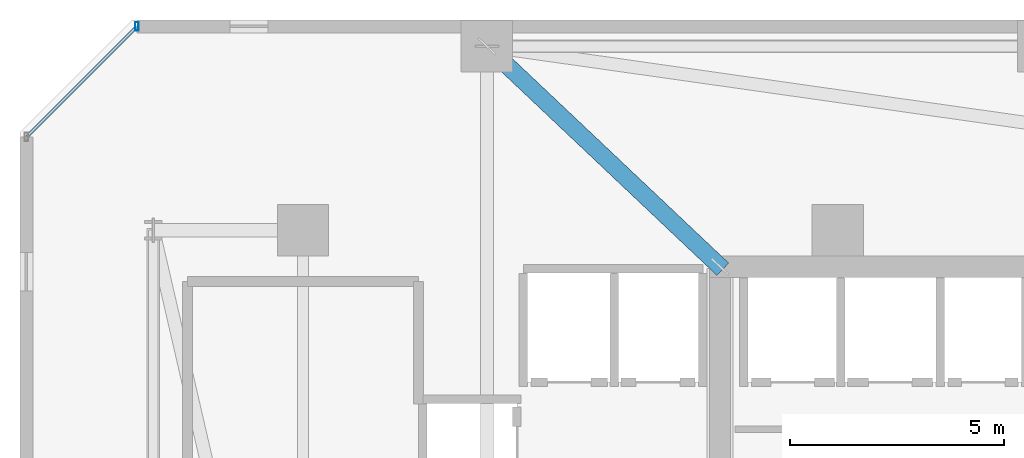
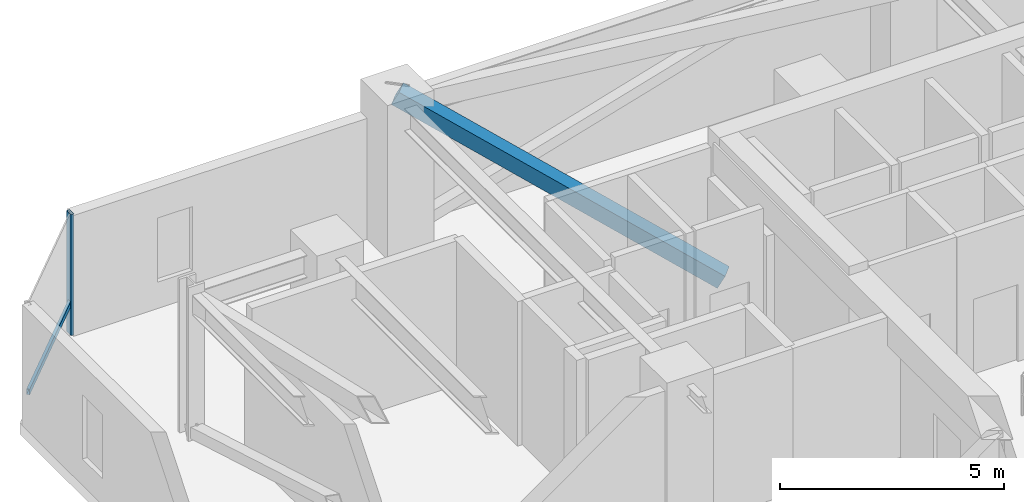
# One storey, part 14 of 45: 3 members, 1 element without a shape of its own.
"""IFC4 building model written with IfcOpenShell, lengths in metres."""

from ifc_helpers import new_model, si_unit, direction, frame, origin, origin_2d, place, context, subcontext, project, spatial, hollow_rectangle, extrude, material, material_profile, profile_set, type_object, element, aggregate, save


model = new_model("IFC4")

# Units and contexts
model_context = context("Model", 3, precision=1e-05, world=origin(), true_north=direction((0.0, 1.0)))
body_context = subcontext(model_context, "Body", "Model", "MODEL_VIEW")
ifc_project = project(units=[si_unit("LENGTHUNIT", "METRE"), si_unit("AREAUNIT", "SQUARE_METRE"), si_unit("VOLUMEUNIT", "CUBIC_METRE"), si_unit("PLANEANGLEUNIT", "RADIAN"), si_unit("MASSUNIT", "GRAM", prefix="KILO")], contexts=[model_context])

# Site, building, storey
site_placement = place(None, origin())
site = spatial("IfcSite", under=ifc_project, at=site_placement, CompositionType="ELEMENT")
building_placement = place(site_placement, origin())
building = spatial("IfcBuilding", under=site, at=building_placement, Name="Thornwick Lancets Civic Towers", CompositionType="ELEMENT")
storey_placement = place(building_placement, frame((0.0, 0.0, 141.300048828125)))
storey = spatial("IfcBuildingStorey", under=building, at=storey_placement, Name="L37", CompositionType="ELEMENT", Elevation=141.300048828125)

# Curtain wall, members
ifc_material_1 = material(Name="Mid-zone chamfered-corner unitised glass curtain wall", Category="glass")
curtain_wall_type = type_object("IfcCurtainWallType", Name="CW_SYS_04", PredefinedType="NOTDEFINED", material=ifc_material_1)
curtain_wall_placement = place(storey_placement, origin())
curtain_wall = element("IfcCurtainWall", 1, at=curtain_wall_placement, inside=storey, type_object=curtain_wall_type, Name="L37 Curtain Wall CW-L37-A-E5", PredefinedType="NOTDEFINED")
ifc_material_2 = material(Name="Thermally broken bronze aluminium S355", Category="steel")
ifc_material_profile_1 = material_profile(ifc_material_2, hollow_rectangle(XDim=0.080078125, YDim=0.199951171875, WallThickness=0.006103515625, at=origin_2d()), Name="RHS 200x80x6")
ifc_profile_set_1 = profile_set([ifc_material_profile_1], Name="Thermally broken bronze aluminium S355")
member_type_1 = type_object("IfcMemberType", Name="CW_MUL_200", PredefinedType="MULLION", material=ifc_profile_set_1)
member_1_placement = place(storey_placement, frame((4.318603515625, 44.7646484375, 0.0), z_axis=(0.0, 0.0, 1.0), x_axis=(1.0, 0.0, 0.0)))
member_1 = element("IfcMember", 2, at=member_1_placement, type_object=member_type_1, Name="CW-L37-A-E5 Mullion 0", PredefinedType="MULLION", context=body_context, shape_type="SweptSolid", body=[
    extrude(hollow_rectangle(XDim=0.080078125, YDim=0.199951171875, WallThickness=0.006103515625, at=origin_2d()), origin(), (0.0, 0.0, 1.0), 3.300048828125),
])
ifc_material_profile_2 = material_profile(ifc_material_2, hollow_rectangle(XDim=0.074951171875, YDim=0.14990234375, WallThickness=0.0048828125, at=origin_2d()), Name="RHS 150x75x5")
ifc_profile_set_2 = profile_set([ifc_material_profile_2], Name="Thermally broken bronze aluminium S355")
member_type_2 = type_object("IfcMemberType", Name="CW_TRN_150", PredefinedType="USERDEFINED", material=ifc_profile_set_2)
member_2_placement = place(storey_placement, frame((4.304443359375, 44.75048828125, 0.849853515625), z_axis=(-0.707106781187, -0.707106781187, 0.0), x_axis=(0.707106781187, -0.707106781187, 0.0)))
member_2 = element("IfcMember", 3, at=member_2_placement, type_object=member_type_2, Name="CW-L37-A-E5 Transom 0", ObjectType="TRANSOM", PredefinedType="USERDEFINED", context=body_context, shape_type="SweptSolid", body=[
    extrude(hollow_rectangle(XDim=0.074951171875, YDim=0.14990234375, WallThickness=0.0048828125, at=origin_2d()), origin(), (0.0, 0.0, 1.0), 3.61328125),
])
aggregate(curtain_wall, [member_1, member_2])

# Member
ifc_material_3 = material(Name="Steel S460M", Category="steel")
ifc_material_profile_3 = material_profile(ifc_material_3, hollow_rectangle(XDim=0.39990234375, YDim=0.39990234375, WallThickness=0.02001953125, at=origin_2d()), Name="SHS 400x400x20")
ifc_profile_set_3 = profile_set([ifc_material_profile_3], Name="Steel S460M")
member_type_3 = type_object("IfcMemberType", Name="MEM_OUTRIG_SHS400", PredefinedType="BRACE", material=ifc_profile_set_3)
member_3_placement = place(storey_placement, frame((17.949951171875, 39.14990234375, 0.14990234375), z_axis=(-0.6479661798, 0.612321218604, 0.452992886349), x_axis=(-0.686832880872, -0.726815378038, 0.0)))
element("IfcMember", 4, at=member_3_placement, inside=storey, type_object=member_type_3, Name="L37 Outrigger Brace A-4", PredefinedType="BRACE", context=body_context, shape_type="SweptSolid", body=[
    extrude(hollow_rectangle(XDim=0.39990234375, YDim=0.39990234375, WallThickness=0.02001953125, at=origin_2d()), origin(), (0.0, 0.0, 1.0), 8.410888671875),
])

save(model, "model.ifc")
